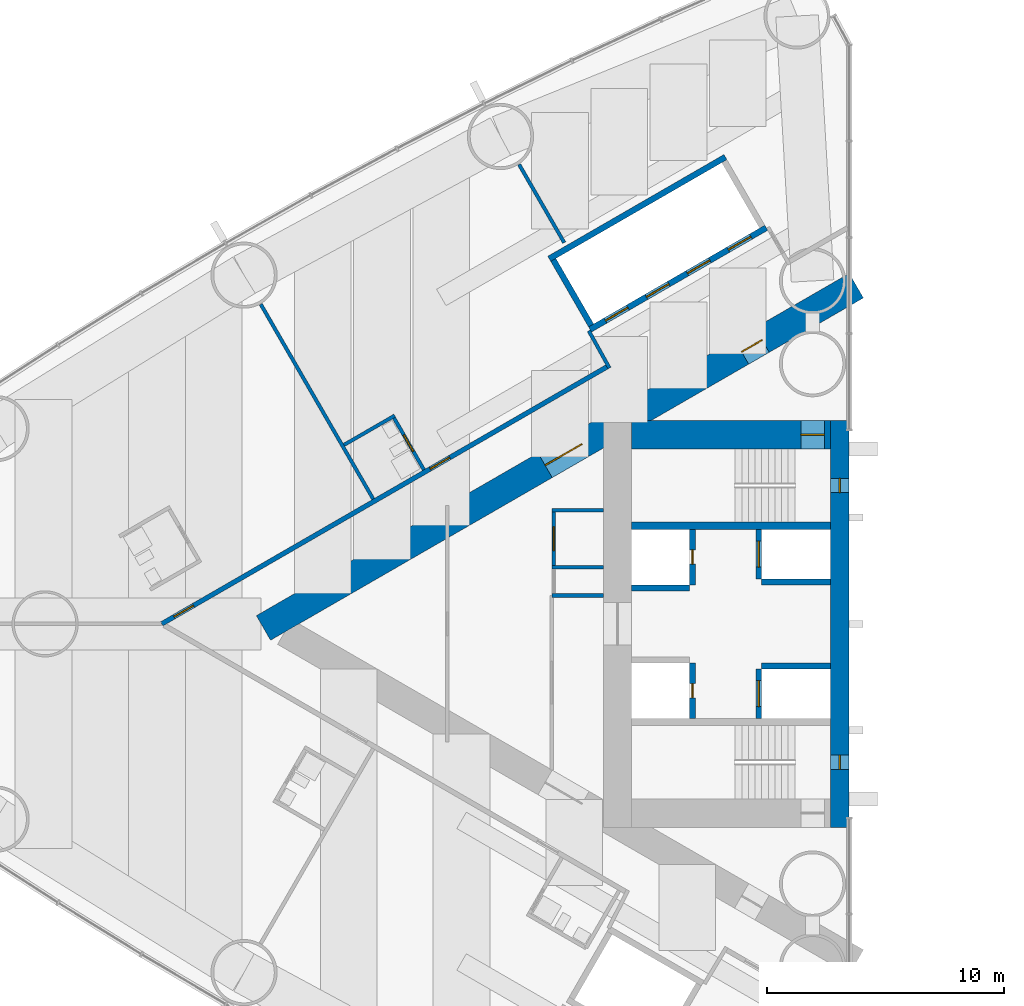
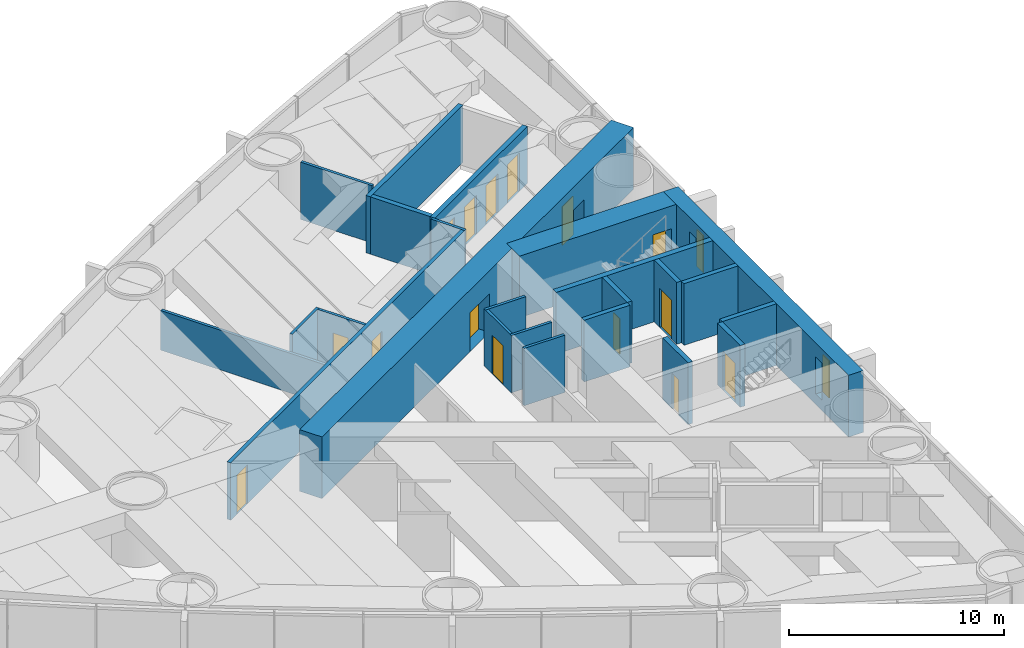
# One storey, part 12 of 19: 24 walls, 15 doors, 2 windows, 17 openings.
"""IFC4 building model written with IfcOpenShell, lengths in metres."""

from ifc_helpers import new_model, si_unit, direction, frame, frame_2d, origin, place, context, subcontext, project, spatial, rectangle, extrude, material, layer, layer_set, type_object, element, fill, save


model = new_model("IFC4")

# Units and contexts
model_context = context("Model", 3, precision=1e-05, world=origin(), true_north=direction((0.0, 1.0)))
body_context = subcontext(model_context, "Body", "Model", "MODEL_VIEW")
ifc_project = project(units=[si_unit("LENGTHUNIT", "METRE"), si_unit("AREAUNIT", "SQUARE_METRE"), si_unit("VOLUMEUNIT", "CUBIC_METRE"), si_unit("PLANEANGLEUNIT", "RADIAN"), si_unit("MASSUNIT", "GRAM", prefix="KILO")], contexts=[model_context])

# Site, building, storey
site_placement = place(None, origin())
site = spatial("IfcSite", under=ifc_project, at=site_placement, CompositionType="ELEMENT")
building_placement = place(site_placement, origin())
building = spatial("IfcBuilding", under=site, at=building_placement, Name="Lancet Gate Hotel", CompositionType="ELEMENT")
storey_placement = place(building_placement, frame((0.0, 0.0, 60.0)))
storey = spatial("IfcBuildingStorey", under=building, at=storey_placement, Name="L15", CompositionType="ELEMENT", Elevation=60.0)

# Wall
ifc_material_1 = material(Name="Moisture resistant board partition")
ifc_layer_1 = layer(ifc_material_1, 0.14990234375)
ifc_layer_set_1 = layer_set([ifc_layer_1], Name="Bathroom wall 150")
wall_type_1 = type_object("IfcWallType", Name="Bathroom wall 150", PredefinedType="PARTITIONING", material=ifc_layer_set_1)
wall_1_placement = place(storey_placement, frame((-46.718505859375, 8.804443359375, 0.0), z_axis=(0.0, 0.0, 1.0), x_axis=(-0.866006523861, -0.500032699561, 0.0)))
element("IfcWall", 1, at=wall_1_placement, inside=storey, type_object=wall_type_1, Name="T1 bathroom wall 150 L15", PredefinedType="PARTITIONING", context=body_context, shape_type="SweptSolid", body=[
    extrude(rectangle(XDim=2.474853515625, YDim=0.14990234375, at=frame_2d((1.2373046875, 0.0))), origin(), (0.0, 0.0, 1.0), 3.25),
])

# Wall, opening, door
wall_2_placement = place(storey_placement, frame((-45.4833984375, 6.515380859375, 0.0), z_axis=(0.0, 0.0, 1.0), x_axis=(-0.500006934395, 0.866021400173, 0.0)))
wall_2 = element("IfcWall", 2, at=wall_2_placement, inside=storey, type_object=wall_type_1, Name="T1 bathroom wall 150 L15", PredefinedType="PARTITIONING", context=body_context, shape_type="SweptSolid", body=[
    extrude(rectangle(XDim=2.60009765625, YDim=0.14990234375, at=frame_2d((1.300048828125, 0.0))), origin(), (0.0, 0.0, 1.0), 3.25),
])
opening_1_placement = place(wall_2_placement, frame((0.89990234375, 0.0, 0.0)))
opening_1 = element("IfcOpeningElement", 3, at=opening_1_placement, cuts=wall_2, Name="Opening 1502-B", PredefinedType="OPENING", context=body_context, shape_type="SweptSolid", body=[
    extrude(rectangle(XDim=0.800048828125, YDim=2.199951171875, at=frame_2d((0.39990234375, 1.10009765625))), frame((0.0, 0.0849609375, 0.0), z_axis=(0.0, -1.0, 0.0), x_axis=(1.0, 0.0, 0.0)), (0.0, 0.0, 1.0), 0.169921875),
])
ifc_material_2 = material(Name="Timber door set", Category="wood")
door_type_1 = type_object("IfcDoorType", Name="Bathroom door 800", OperationType="SINGLE_SWING_RIGHT", PredefinedType="DOOR", material=ifc_material_2)
door_1_placement = place(opening_1_placement, origin())
door_1 = element("IfcDoor", 4, at=door_1_placement, inside=storey, type_object=door_type_1, Name="1502-B", OperationType="SINGLE_SWING_RIGHT", OverallHeight=2.199951171875, OverallWidth=0.800048828125, PredefinedType="DOOR", context=body_context, shape_type="SweptSolid", body=[
    extrude(rectangle(XDim=0.800048828125, YDim=2.199951171875, at=frame_2d((0.39990234375, 1.10009765625))), frame((0.0, 0.02490234375, 0.0), z_axis=(0.0, -1.0, 0.0), x_axis=(1.0, 0.0, 0.0)), (0.0, 0.0, 1.0), 0.050048828125),
])
fill(opening_1, door_1)

# Wall, openings, doors
ifc_material_3 = material(Name="Concrete C70/85", Category="concrete")
ifc_layer_2 = layer(ifc_material_3, 1.199951171875)
ifc_layer_set_2 = layer_set([ifc_layer_2], Name="Buttress wall 1200")
wall_type_2 = type_object("IfcWallType", Name="Buttress wall 1200", PredefinedType="SHEAR", material=ifc_layer_set_2)
wall_3_placement = place(storey_placement, frame((-27.199951171875, 14.300048828125, 0.0), z_axis=(0.0, 0.0, 1.0), x_axis=(-0.866026593062, -0.499997940104, 0.0)))
wall_3 = element("IfcWall", 5, at=wall_3_placement, inside=storey, type_object=wall_type_2, Name="T1 buttress wall S L15", PredefinedType="SHEAR", context=body_context, shape_type="SweptSolid", body=[
    extrude(rectangle(XDim=28.9462890625, YDim=1.199951171875, at=frame_2d((14.47314453125, 0.0))), origin(), (0.0, 0.0, 1.0), 3.5),
])
opening_2_placement = place(wall_3_placement, frame((4.60009765625, 0.0, 0.0)))
opening_2 = element("IfcOpeningElement", 6, at=opening_2_placement, cuts=wall_3, Name="Opening T1-L15-LS", PredefinedType="OPENING", context=body_context, shape_type="SweptSolid", body=[
    extrude(rectangle(XDim=1.0, YDim=2.199951171875, at=frame_2d((0.5, 1.10009765625))), frame((0.0, 0.60986328125, 0.0), z_axis=(0.0, -1.0, 0.0), x_axis=(1.0, 0.0, 0.0)), (0.0, 0.0, 1.0), 1.219970703125),
])
opening_3_placement = place(wall_3_placement, frame((13.39453125, 0.0, 0.0)))
opening_3 = element("IfcOpeningElement", 7, at=opening_3_placement, cuts=wall_3, Name="Opening T1-L15-LHS", PredefinedType="OPENING", context=body_context, shape_type="SweptSolid", body=[
    extrude(rectangle(XDim=1.800048828125, YDim=2.199951171875, at=frame_2d((0.89990234375, 1.10009765625))), frame((0.0, 0.60986328125, 0.0), z_axis=(0.0, -1.0, 0.0), x_axis=(1.0, 0.0, 0.0)), (0.0, 0.0, 1.0), 1.219970703125),
])
ifc_material_4 = material(Name="Timber door set", Category="wood")
door_type_2 = type_object("IfcDoorType", Name="Lobby double door 1800", OperationType="DOUBLE_DOOR_SINGLE_SWING", PredefinedType="DOOR", material=ifc_material_4)
door_2_placement = place(opening_3_placement, origin())
door_2 = element("IfcDoor", 8, at=door_2_placement, inside=storey, type_object=door_type_2, Name="T1-L15-LHS", OperationType="DOUBLE_DOOR_SINGLE_SWING", OverallHeight=2.199951171875, OverallWidth=1.800048828125, PredefinedType="DOOR", context=body_context, shape_type="SweptSolid", body=[
    extrude(rectangle(XDim=1.800048828125, YDim=2.199951171875, at=frame_2d((0.89990234375, 1.10009765625))), frame((0.0, 0.02490234375, 0.0), z_axis=(0.0, -1.0, 0.0), x_axis=(1.0, 0.0, 0.0)), (0.0, 0.0, 1.0), 0.050048828125),
])
fill(opening_3, door_2)
ifc_material_5 = material(Name="Timber door set", Category="wood")
door_type_3 = type_object("IfcDoorType", Name="Stair lobby door 1000", OperationType="SINGLE_SWING_LEFT", PredefinedType="DOOR", material=ifc_material_5)
door_3_placement = place(opening_2_placement, origin())
door_3 = element("IfcDoor", 9, at=door_3_placement, inside=storey, type_object=door_type_3, Name="T1-L15-LS", OperationType="SINGLE_SWING_LEFT", OverallHeight=2.199951171875, OverallWidth=1.0, PredefinedType="DOOR", context=body_context, shape_type="SweptSolid", body=[
    extrude(rectangle(XDim=1.0, YDim=2.199951171875, at=frame_2d((0.5, 1.10009765625))), frame((0.0, 0.02490234375, 0.0), z_axis=(0.0, -1.0, 0.0), x_axis=(1.0, 0.0, 0.0)), (0.0, 0.0, 1.0), 0.050048828125),
])
fill(opening_2, door_3)

# Wall, opening, door
ifc_material_6 = material(Name="Concrete C70/85", Category="concrete")
ifc_layer_3 = layer(ifc_material_6, 1.199951171875)
ifc_layer_set_3 = layer_set([ifc_layer_3], Name="Core wall 1200")
wall_type_3 = type_object("IfcWallType", Name="Core wall 1200", PredefinedType="SHEAR", material=ifc_layer_set_3)
wall_4_placement = place(storey_placement, frame((-28.300048828125, 8.0, 0.0), z_axis=(0.0, 0.0, 1.0), x_axis=(-1.0, 0.0, 0.0)))
wall_4 = element("IfcWall", 10, at=wall_4_placement, inside=storey, type_object=wall_type_3, Name="T1 core wall side-S L15", PredefinedType="SHEAR", context=body_context, shape_type="SweptSolid", body=[
    extrude(rectangle(XDim=8.39990234375, YDim=1.199951171875, at=frame_2d((4.199951171875, 0.0))), origin(), (0.0, 0.0, 1.0), 3.5),
])
opening_4_placement = place(wall_4_placement, frame((0.25, 0.0, 0.0)))
opening_4 = element("IfcOpeningElement", 11, at=opening_4_placement, cuts=wall_4, Name="Opening T1-L15-ST1", PredefinedType="OPENING", context=body_context, shape_type="SweptSolid", body=[
    extrude(rectangle(XDim=1.0, YDim=2.199951171875, at=frame_2d((0.5, 1.10009765625))), frame((0.0, 0.60986328125, 0.0), z_axis=(0.0, -1.0, 0.0), x_axis=(1.0, 0.0, 0.0)), (0.0, 0.0, 1.0), 1.219970703125),
])
ifc_material_7 = material(Name="Timber door set", Category="wood")
door_type_4 = type_object("IfcDoorType", Name="Stair door 1000", OperationType="SINGLE_SWING_RIGHT", PredefinedType="DOOR", material=ifc_material_7)
door_4_placement = place(opening_4_placement, origin())
door_4 = element("IfcDoor", 12, at=door_4_placement, inside=storey, type_object=door_type_4, Name="T1-L15-ST1", OperationType="SINGLE_SWING_RIGHT", OverallHeight=2.199951171875, OverallWidth=1.0, PredefinedType="DOOR", context=body_context, shape_type="SweptSolid", body=[
    extrude(rectangle(XDim=1.0, YDim=2.199951171875, at=frame_2d((0.5, 1.10009765625))), frame((0.0, 0.02490234375, 0.0), z_axis=(0.0, -1.0, 0.0), x_axis=(1.0, 0.0, 0.0)), (0.0, 0.0, 1.0), 0.050048828125),
])
fill(opening_4, door_4)

# Wall, openings, windows
ifc_material_8 = material(Name="Concrete C70/85", Category="concrete")
ifc_layer_4 = layer(ifc_material_8, 0.800048828125)
ifc_layer_set_4 = layer_set([ifc_layer_4], Name="Core wall 800")
wall_type_4 = type_object("IfcWallType", Name="Core wall 800", PredefinedType="SHEAR", material=ifc_layer_set_4)
wall_5_placement = place(storey_placement, frame((-27.89990234375, 8.60009765625, 0.0), z_axis=(0.0, 0.0, 1.0), x_axis=(0.0, -1.0, 0.0)))
wall_5 = element("IfcWall", 13, at=wall_5_placement, inside=storey, type_object=wall_type_4, Name="T1 core wall front L15", PredefinedType="SHEAR", context=body_context, shape_type="SweptSolid", body=[
    extrude(rectangle(XDim=17.2001953125, YDim=0.800048828125, at=frame_2d((8.60009765625, 0.0))), origin(), (0.0, 0.0, 1.0), 3.5),
])
opening_5_placement = place(wall_5_placement, frame((2.449951171875, 0.0, 0.60009765625)))
opening_5 = element("IfcOpeningElement", 14, at=opening_5_placement, cuts=wall_5, Name="Opening LW1", PredefinedType="OPENING", context=body_context, shape_type="SweptSolid", body=[
    extrude(rectangle(XDim=0.60009765625, YDim=2.10009765625, at=frame_2d((0.300048828125, 1.050048828125))), frame((0.0, 0.409912109375, 0.0), z_axis=(0.0, -1.0, 0.0), x_axis=(1.0, 0.0, 0.0)), (0.0, 0.0, 1.0), 0.820068359375),
])
opening_6_placement = place(wall_5_placement, frame((14.14990234375, 0.0, 0.60009765625)))
opening_6 = element("IfcOpeningElement", 15, at=opening_6_placement, cuts=wall_5, Name="Opening LW1", PredefinedType="OPENING", context=body_context, shape_type="SweptSolid", body=[
    extrude(rectangle(XDim=0.60009765625, YDim=2.10009765625, at=frame_2d((0.300048828125, 1.050048828125))), frame((0.0, 0.409912109375, 0.0), z_axis=(0.0, -1.0, 0.0), x_axis=(1.0, 0.0, 0.0)), (0.0, 0.0, 1.0), 0.820068359375),
])
ifc_material_9 = material(Name="Fire-resisting glazed steel window", Category="steel")
window_type = type_object("IfcWindowType", Name="Lancet window 600x2100", PartitioningType="SINGLE_PANEL", PredefinedType="WINDOW", material=ifc_material_9)
window_1_placement = place(opening_5_placement, origin())
window_1 = element("IfcWindow", 16, at=window_1_placement, inside=storey, type_object=window_type, Name="T1 stair window S L15", OverallHeight=2.10009765625, OverallWidth=0.60009765625, PartitioningType="SINGLE_PANEL", PredefinedType="WINDOW", context=body_context, shape_type="SweptSolid", body=[
    extrude(rectangle(XDim=0.60009765625, YDim=2.10009765625, at=frame_2d((0.300048828125, 1.050048828125))), frame((0.0, 0.030029296875, 0.0), z_axis=(0.0, -1.0, 0.0), x_axis=(1.0, 0.0, 0.0)), (0.0, 0.0, 1.0), 0.06005859375),
])
fill(opening_5, window_1)
window_2_placement = place(opening_6_placement, origin())
window_2 = element("IfcWindow", 17, at=window_2_placement, inside=storey, type_object=window_type, Name="T1 stair window N L15", OverallHeight=2.10009765625, OverallWidth=0.60009765625, PartitioningType="SINGLE_PANEL", PredefinedType="WINDOW", context=body_context, shape_type="SweptSolid", body=[
    extrude(rectangle(XDim=0.60009765625, YDim=2.10009765625, at=frame_2d((0.300048828125, 1.050048828125))), frame((0.0, 0.030029296875, 0.0), z_axis=(0.0, -1.0, 0.0), x_axis=(1.0, 0.0, 0.0)), (0.0, 0.0, 1.0), 0.06005859375),
])
fill(opening_6, window_2)

# Wall, openings, doors
ifc_material_10 = material(Name="Gypsum board partition")
ifc_layer_5 = layer(ifc_material_10, 0.199951171875)
ifc_layer_set_5 = layer_set([ifc_layer_5], Name="Corridor wall 200")
wall_type_5 = type_object("IfcWallType", Name="Corridor wall 200", PredefinedType="PARTITIONING", material=ifc_layer_set_5)
wall_6_placement = place(storey_placement, frame((-37.699951171875, 10.8935546875, 0.0), z_axis=(0.0, 0.0, 1.0), x_axis=(-0.866027905338, -0.499995667157, 0.0)))
wall_6 = element("IfcWall", 18, at=wall_6_placement, inside=storey, type_object=wall_type_5, Name="T1 corridor wall 200 L15", PredefinedType="PARTITIONING", context=body_context, shape_type="SweptSolid", body=[
    extrude(rectangle(XDim=21.787353515625, YDim=0.199951171875, at=frame_2d((10.8935546875, 0.0))), origin(), (0.0, 0.0, 1.0), 3.25),
])
opening_7_placement = place(wall_6_placement, frame((20.237060546875, 0.0, 0.0)))
opening_7 = element("IfcOpeningElement", 19, at=opening_7_placement, cuts=wall_6, Name="Opening 1503-E", PredefinedType="OPENING", context=body_context, shape_type="SweptSolid", body=[
    extrude(rectangle(XDim=0.949951171875, YDim=2.199951171875, at=frame_2d((0.47509765625, 1.10009765625))), frame((0.0, 0.10986328125, 0.0), z_axis=(0.0, -1.0, 0.0), x_axis=(1.0, 0.0, 0.0)), (0.0, 0.0, 1.0), 0.219970703125),
])
opening_8_placement = place(wall_6_placement, frame((7.729736328125, 0.0, 0.0)))
opening_8 = element("IfcOpeningElement", 20, at=opening_8_placement, cuts=wall_6, Name="Opening 1502-E", PredefinedType="OPENING", context=body_context, shape_type="SweptSolid", body=[
    extrude(rectangle(XDim=0.949951171875, YDim=2.199951171875, at=frame_2d((0.47509765625, 1.10009765625))), frame((0.0, 0.10986328125, 0.0), z_axis=(0.0, -1.0, 0.0), x_axis=(1.0, 0.0, 0.0)), (0.0, 0.0, 1.0), 0.219970703125),
])
ifc_material_11 = material(Name="Timber door set", Category="wood")
door_type_5 = type_object("IfcDoorType", Name="Guest room entry door 950", OperationType="SINGLE_SWING_LEFT", PredefinedType="DOOR", material=ifc_material_11)
door_5_placement = place(opening_7_placement, origin())
door_5 = element("IfcDoor", 21, at=door_5_placement, inside=storey, type_object=door_type_5, Name="1503-E", OperationType="SINGLE_SWING_LEFT", OverallHeight=2.199951171875, OverallWidth=0.949951171875, PredefinedType="DOOR", context=body_context, shape_type="SweptSolid", body=[
    extrude(rectangle(XDim=0.949951171875, YDim=2.199951171875, at=frame_2d((0.47509765625, 1.10009765625))), frame((0.0, 0.02490234375, 0.0), z_axis=(0.0, -1.0, 0.0), x_axis=(1.0, 0.0, 0.0)), (0.0, 0.0, 1.0), 0.050048828125),
])
fill(opening_7, door_5)
door_6_placement = place(opening_8_placement, origin())
door_6 = element("IfcDoor", 22, at=door_6_placement, inside=storey, type_object=door_type_5, Name="1502-E", OperationType="SINGLE_SWING_LEFT", OverallHeight=2.199951171875, OverallWidth=0.949951171875, PredefinedType="DOOR", context=body_context, shape_type="SweptSolid", body=[
    extrude(rectangle(XDim=0.949951171875, YDim=2.199951171875, at=frame_2d((0.47509765625, 1.10009765625))), frame((0.0, 0.02490234375, 0.0), z_axis=(0.0, -1.0, 0.0), x_axis=(1.0, 0.0, 0.0)), (0.0, 0.0, 1.0), 0.050048828125),
])
fill(opening_8, door_6)

ifc_material_12 = material(Name="Gypsum board partition")
ifc_layer_6 = layer(ifc_material_12, 0.25)
ifc_layer_set_6 = layer_set([ifc_layer_6], Name="Lift shaft partition 250")
wall_type_6 = type_object("IfcWallType", Name="Lift shaft partition 250", PredefinedType="PARTITIONING", material=ifc_layer_set_6)
wall_7_placement = place(storey_placement, frame((-31.010498046875, 16.747314453125, 0.0), z_axis=(0.0, 0.0, 1.0), x_axis=(-0.866028165386, -0.499995216735, 0.0)))
wall_7 = element("IfcWall", 23, at=wall_7_placement, inside=storey, type_object=wall_type_6, Name="T1 lift shaft wall LR L15", PredefinedType="PARTITIONING", context=body_context, shape_type="SweptSolid", body=[
    extrude(rectangle(XDim=8.60009765625, YDim=0.25, at=frame_2d((4.300048828125, 0.0))), origin(), (0.0, 0.0, 1.0), 3.25),
])
opening_9_placement = place(wall_7_placement, frame((0.75, 0.0, 0.0)))
opening_9 = element("IfcOpeningElement", 24, at=opening_9_placement, cuts=wall_7, Name="Opening T1-LR1-L15", PredefinedType="OPENING", context=body_context, shape_type="SweptSolid", body=[
    extrude(rectangle(XDim=1.10009765625, YDim=2.199951171875, at=frame_2d((0.550048828125, 1.10009765625))), frame((0.0, 0.135009765625, 0.0), z_axis=(0.0, -1.0, 0.0), x_axis=(1.0, 0.0, 0.0)), (0.0, 0.0, 1.0), 0.27001953125),
])
opening_10_placement = place(wall_7_placement, frame((2.75, 0.0, 0.0)))
opening_10 = element("IfcOpeningElement", 25, at=opening_10_placement, cuts=wall_7, Name="Opening T1-LR2-L15", PredefinedType="OPENING", context=body_context, shape_type="SweptSolid", body=[
    extrude(rectangle(XDim=1.10009765625, YDim=2.199951171875, at=frame_2d((0.550048828125, 1.10009765625))), frame((0.0, 0.135009765625, 0.0), z_axis=(0.0, -1.0, 0.0), x_axis=(1.0, 0.0, 0.0)), (0.0, 0.0, 1.0), 0.27001953125),
])
opening_11_placement = place(wall_7_placement, frame((4.75, 0.0, 0.0)))
opening_11 = element("IfcOpeningElement", 26, at=opening_11_placement, cuts=wall_7, Name="Opening T1-LR3-L15", PredefinedType="OPENING", context=body_context, shape_type="SweptSolid", body=[
    extrude(rectangle(XDim=1.10009765625, YDim=2.199951171875, at=frame_2d((0.550048828125, 1.10009765625))), frame((0.0, 0.135009765625, 0.0), z_axis=(0.0, -1.0, 0.0), x_axis=(1.0, 0.0, 0.0)), (0.0, 0.0, 1.0), 0.27001953125),
])
opening_12_placement = place(wall_7_placement, frame((6.75, 0.0, 0.0)))
opening_12 = element("IfcOpeningElement", 27, at=opening_12_placement, cuts=wall_7, Name="Opening T1-LR4-L15", PredefinedType="OPENING", context=body_context, shape_type="SweptSolid", body=[
    extrude(rectangle(XDim=1.10009765625, YDim=2.199951171875, at=frame_2d((0.550048828125, 1.10009765625))), frame((0.0, 0.135009765625, 0.0), z_axis=(0.0, -1.0, 0.0), x_axis=(1.0, 0.0, 0.0)), (0.0, 0.0, 1.0), 0.27001953125),
])
ifc_material_13 = material(Name="Steel door set", Category="steel")
door_type_6 = type_object("IfcDoorType", Name="Lift landing door 1100", OperationType="DOUBLE_DOOR_SLIDING", PredefinedType="USERDEFINED", material=ifc_material_13)
door_7_placement = place(opening_9_placement, origin())
door_7 = element("IfcDoor", 28, at=door_7_placement, inside=storey, type_object=door_type_6, Name="T1-LR1-L15", ObjectType="LIFT LANDING DOOR", OperationType="DOUBLE_DOOR_SLIDING", OverallHeight=2.199951171875, OverallWidth=1.10009765625, PredefinedType="USERDEFINED", context=body_context, shape_type="SweptSolid", body=[
    extrude(rectangle(XDim=1.10009765625, YDim=2.199951171875, at=frame_2d((0.550048828125, 1.10009765625))), frame((0.0, 0.02490234375, 0.0), z_axis=(0.0, -1.0, 0.0), x_axis=(1.0, 0.0, 0.0)), (0.0, 0.0, 1.0), 0.050048828125),
])
fill(opening_9, door_7)
door_8_placement = place(opening_10_placement, origin())
door_8 = element("IfcDoor", 29, at=door_8_placement, inside=storey, type_object=door_type_6, Name="T1-LR2-L15", ObjectType="LIFT LANDING DOOR", OperationType="DOUBLE_DOOR_SLIDING", OverallHeight=2.199951171875, OverallWidth=1.10009765625, PredefinedType="USERDEFINED", context=body_context, shape_type="SweptSolid", body=[
    extrude(rectangle(XDim=1.10009765625, YDim=2.199951171875, at=frame_2d((0.550048828125, 1.10009765625))), frame((0.0, 0.02490234375, 0.0), z_axis=(0.0, -1.0, 0.0), x_axis=(1.0, 0.0, 0.0)), (0.0, 0.0, 1.0), 0.050048828125),
])
fill(opening_10, door_8)
door_9_placement = place(opening_11_placement, origin())
door_9 = element("IfcDoor", 30, at=door_9_placement, inside=storey, type_object=door_type_6, Name="T1-LR3-L15", ObjectType="LIFT LANDING DOOR", OperationType="DOUBLE_DOOR_SLIDING", OverallHeight=2.199951171875, OverallWidth=1.10009765625, PredefinedType="USERDEFINED", context=body_context, shape_type="SweptSolid", body=[
    extrude(rectangle(XDim=1.10009765625, YDim=2.199951171875, at=frame_2d((0.550048828125, 1.10009765625))), frame((0.0, 0.02490234375, 0.0), z_axis=(0.0, -1.0, 0.0), x_axis=(1.0, 0.0, 0.0)), (0.0, 0.0, 1.0), 0.050048828125),
])
fill(opening_11, door_9)
door_10_placement = place(opening_12_placement, origin())
door_10 = element("IfcDoor", 31, at=door_10_placement, inside=storey, type_object=door_type_6, Name="T1-LR4-L15", ObjectType="LIFT LANDING DOOR", OperationType="DOUBLE_DOOR_SLIDING", OverallHeight=2.199951171875, OverallWidth=1.10009765625, PredefinedType="USERDEFINED", context=body_context, shape_type="SweptSolid", body=[
    extrude(rectangle(XDim=1.10009765625, YDim=2.199951171875, at=frame_2d((0.550048828125, 1.10009765625))), frame((0.0, 0.02490234375, 0.0), z_axis=(0.0, -1.0, 0.0), x_axis=(1.0, 0.0, 0.0)), (0.0, 0.0, 1.0), 0.050048828125),
])
fill(opening_12, door_10)

# Walls
wall_8_placement = place(storey_placement, frame((-32.735595703125, 19.73583984375, 0.0), z_axis=(0.0, 0.0, 1.0), x_axis=(-0.866028165386, -0.499995216735, 0.0)))
element("IfcWall", 32, at=wall_8_placement, inside=storey, type_object=wall_type_6, Name="T1 lift shaft wall LR L15", PredefinedType="PARTITIONING", context=body_context, shape_type="SweptSolid", body=[
    extrude(rectangle(XDim=8.60009765625, YDim=0.25, at=frame_2d((4.300048828125, 0.0))), origin(), (0.0, 0.0, 1.0), 3.25),
])
wall_9_placement = place(storey_placement, frame((-38.412841796875, 12.617919921875, 0.0), z_axis=(0.0, 0.0, 1.0), x_axis=(-0.499872130319, 0.866099216793, 0.0)))
element("IfcWall", 33, at=wall_9_placement, inside=storey, type_object=wall_type_6, Name="T1 lift shaft wall LR L15", PredefinedType="PARTITIONING", context=body_context, shape_type="SweptSolid", body=[
    extrude(rectangle(XDim=3.200439453125, YDim=0.25, at=frame_2d((1.60009765625, 0.0))), origin(), (0.0, 0.0, 1.0), 3.25),
])

# Wall, opening, door
ifc_material_14 = material(Name="Concrete C50/60", Category="concrete")
ifc_layer_7 = layer(ifc_material_14, 0.25)
ifc_layer_set_7 = layer_set([ifc_layer_7], Name="Lift shaft wall 250")
wall_type_7 = type_object("IfcWallType", Name="Lift shaft wall 250", PredefinedType="SHEAR", material=ifc_layer_set_7)
wall_10_placement = place(storey_placement, frame((-31.324951171875, 4.0, 0.0), z_axis=(0.0, 0.0, 1.0), x_axis=(0.0, -1.0, 0.0)))
wall_10 = element("IfcWall", 34, at=wall_10_placement, inside=storey, type_object=wall_type_7, Name="T1 core wall row1-S L15", PredefinedType="SHEAR", context=body_context, shape_type="SweptSolid", body=[
    extrude(rectangle(XDim=2.10009765625, YDim=0.25, at=frame_2d((1.050048828125, 0.0))), origin(), (0.0, 0.0, 1.0), 3.5),
])
opening_13_placement = place(wall_10_placement, frame((0.5, 0.0, 0.0)))
opening_13 = element("IfcOpeningElement", 35, at=opening_13_placement, cuts=wall_10, Name="Opening T1-SL1-L15", PredefinedType="OPENING", context=body_context, shape_type="SweptSolid", body=[
    extrude(rectangle(XDim=1.10009765625, YDim=2.199951171875, at=frame_2d((0.550048828125, 1.10009765625))), frame((0.0, 0.135009765625, 0.0), z_axis=(0.0, -1.0, 0.0), x_axis=(1.0, 0.0, 0.0)), (0.0, 0.0, 1.0), 0.27001953125),
])
ifc_material_15 = material(Name="Timber door set", Category="wood")
door_type_7 = type_object("IfcDoorType", Name="Service lift landing door 1100", OperationType="SLIDING_TO_LEFT", PredefinedType="USERDEFINED", material=ifc_material_15)
door_11_placement = place(opening_13_placement, origin())
door_11 = element("IfcDoor", 36, at=door_11_placement, inside=storey, type_object=door_type_7, Name="T1-SL1-L15", ObjectType="LIFT LANDING DOOR", OperationType="SLIDING_TO_LEFT", OverallHeight=2.199951171875, OverallWidth=1.10009765625, PredefinedType="USERDEFINED", context=body_context, shape_type="SweptSolid", body=[
    extrude(rectangle(XDim=1.10009765625, YDim=2.199951171875, at=frame_2d((0.550048828125, 1.10009765625))), frame((0.0, 0.02490234375, 0.0), z_axis=(0.0, -1.0, 0.0), x_axis=(1.0, 0.0, 0.0)), (0.0, 0.0, 1.0), 0.050048828125),
])
fill(opening_13, door_11)

wall_11_placement = place(storey_placement, frame((-34.125, 4.0, 0.0), z_axis=(0.0, 0.0, 1.0), x_axis=(0.0, -1.0, 0.0)))
wall_11 = element("IfcWall", 37, at=wall_11_placement, inside=storey, type_object=wall_type_7, Name="T1 core wall row2-S L15", PredefinedType="SHEAR", context=body_context, shape_type="SweptSolid", body=[
    extrude(rectangle(XDim=2.35009765625, YDim=0.25, at=frame_2d((1.175048828125, 0.0))), origin(), (0.0, 0.0, 1.0), 3.5),
])
opening_14_placement = place(wall_11_placement, frame((0.875, 0.0, 0.0)))
opening_14 = element("IfcOpeningElement", 38, at=opening_14_placement, cuts=wall_11, Name="Opening T1-OL3-L15-E", PredefinedType="OPENING", context=body_context, shape_type="SweptSolid", body=[
    extrude(rectangle(XDim=0.60009765625, YDim=2.0, at=frame_2d((0.300048828125, 1.0))), frame((0.0, 0.135009765625, 0.0), z_axis=(0.0, -1.0, 0.0), x_axis=(1.0, 0.0, 0.0)), (0.0, 0.0, 1.0), 0.27001953125),
])
ifc_material_16 = material(Name="Steel door set", Category="steel")
door_type_8 = type_object("IfcDoorType", Name="Lift shaft emergency door 600x2000", OperationType="SLIDING_TO_LEFT", PredefinedType="DOOR", material=ifc_material_16)
door_12_placement = place(opening_14_placement, origin())
door_12 = element("IfcDoor", 39, at=door_12_placement, inside=storey, type_object=door_type_8, Name="T1-OL3-L15-E", OperationType="SLIDING_TO_LEFT", OverallHeight=2.0, OverallWidth=0.60009765625, PredefinedType="DOOR", context=body_context, shape_type="SweptSolid", body=[
    extrude(rectangle(XDim=0.60009765625, YDim=2.0, at=frame_2d((0.300048828125, 1.0))), frame((0.0, 0.02490234375, 0.0), z_axis=(0.0, -1.0, 0.0), x_axis=(1.0, 0.0, 0.0)), (0.0, 0.0, 1.0), 0.050048828125),
])
fill(opening_14, door_12)

# Walls
wall_12_placement = place(storey_placement, frame((-28.300048828125, 1.77490234375, 0.0), z_axis=(0.0, 0.0, 1.0), x_axis=(-1.0, 0.0, 0.0)))
element("IfcWall", 40, at=wall_12_placement, inside=storey, type_object=wall_type_7, Name="T1 core wall pass1-S L15", PredefinedType="SHEAR", context=body_context, shape_type="SweptSolid", body=[
    extrude(rectangle(XDim=2.89990234375, YDim=0.25, at=frame_2d((1.449951171875, 0.0))), origin(), (0.0, 0.0, 1.0), 3.5),
])
wall_13_placement = place(storey_placement, frame((-34.25, 1.52490234375, 0.0), z_axis=(0.0, 0.0, 1.0), x_axis=(-1.0, 0.0, 0.0)))
element("IfcWall", 41, at=wall_13_placement, inside=storey, type_object=wall_type_7, Name="T1 core wall pass2-S L15", PredefinedType="SHEAR", context=body_context, shape_type="SweptSolid", body=[
    extrude(rectangle(XDim=2.449951171875, YDim=0.25, at=frame_2d((1.22509765625, 0.0))), origin(), (0.0, 0.0, 1.0), 3.5),
])

# Wall, opening, door
wall_14_placement = place(storey_placement, frame((-31.324951171875, -1.89990234375, 0.0), z_axis=(0.0, 0.0, 1.0), x_axis=(0.0, -1.0, 0.0)))
wall_14 = element("IfcWall", 42, at=wall_14_placement, inside=storey, type_object=wall_type_7, Name="T1 core wall row1-N L15", PredefinedType="SHEAR", context=body_context, shape_type="SweptSolid", body=[
    extrude(rectangle(XDim=2.10009765625, YDim=0.25, at=frame_2d((1.050048828125, 0.0))), origin(), (0.0, 0.0, 1.0), 3.5),
])
opening_15_placement = place(wall_14_placement, frame((0.5, 0.0, 0.0)))
opening_15 = element("IfcOpeningElement", 43, at=opening_15_placement, cuts=wall_14, Name="Opening T1-FL2-L15", PredefinedType="OPENING", context=body_context, shape_type="SweptSolid", body=[
    extrude(rectangle(XDim=1.10009765625, YDim=2.199951171875, at=frame_2d((0.550048828125, 1.10009765625))), frame((0.0, 0.135009765625, 0.0), z_axis=(0.0, -1.0, 0.0), x_axis=(1.0, 0.0, 0.0)), (0.0, 0.0, 1.0), 0.27001953125),
])
ifc_material_17 = material(Name="Steel door set", Category="steel")
door_type_9 = type_object("IfcDoorType", Name="Firefighting lift landing door 1100", OperationType="SLIDING_TO_LEFT", PredefinedType="USERDEFINED", material=ifc_material_17)
door_13_placement = place(opening_15_placement, origin())
door_13 = element("IfcDoor", 44, at=door_13_placement, inside=storey, type_object=door_type_9, Name="T1-FL2-L15", ObjectType="LIFT LANDING DOOR", OperationType="SLIDING_TO_LEFT", OverallHeight=2.199951171875, OverallWidth=1.10009765625, PredefinedType="USERDEFINED", context=body_context, shape_type="SweptSolid", body=[
    extrude(rectangle(XDim=1.10009765625, YDim=2.199951171875, at=frame_2d((0.550048828125, 1.10009765625))), frame((0.0, 0.02490234375, 0.0), z_axis=(0.0, -1.0, 0.0), x_axis=(1.0, 0.0, 0.0)), (0.0, 0.0, 1.0), 0.050048828125),
])
fill(opening_15, door_13)

wall_15_placement = place(storey_placement, frame((-34.125, -1.64990234375, 0.0), z_axis=(0.0, 0.0, 1.0), x_axis=(0.0, -1.0, 0.0)))
wall_15 = element("IfcWall", 45, at=wall_15_placement, inside=storey, type_object=wall_type_7, Name="T1 core wall row2-N L15", PredefinedType="SHEAR", context=body_context, shape_type="SweptSolid", body=[
    extrude(rectangle(XDim=2.35009765625, YDim=0.25, at=frame_2d((1.175048828125, 0.0))), origin(), (0.0, 0.0, 1.0), 3.5),
])
opening_16_placement = place(wall_15_placement, frame((0.875, 0.0, 0.0)))
opening_16 = element("IfcOpeningElement", 46, at=opening_16_placement, cuts=wall_15, Name="Opening T1-OL4-L15-E", PredefinedType="OPENING", context=body_context, shape_type="SweptSolid", body=[
    extrude(rectangle(XDim=0.60009765625, YDim=2.0, at=frame_2d((0.300048828125, 1.0))), frame((0.0, 0.135009765625, 0.0), z_axis=(0.0, -1.0, 0.0), x_axis=(1.0, 0.0, 0.0)), (0.0, 0.0, 1.0), 0.27001953125),
])
door_14_placement = place(opening_16_placement, origin())
door_14 = element("IfcDoor", 47, at=door_14_placement, inside=storey, type_object=door_type_8, Name="T1-OL4-L15-E", OperationType="SLIDING_TO_LEFT", OverallHeight=2.0, OverallWidth=0.60009765625, PredefinedType="DOOR", context=body_context, shape_type="SweptSolid", body=[
    extrude(rectangle(XDim=0.60009765625, YDim=2.0, at=frame_2d((0.300048828125, 1.0))), frame((0.0, 0.02490234375, 0.0), z_axis=(0.0, -1.0, 0.0), x_axis=(1.0, 0.0, 0.0)), (0.0, 0.0, 1.0), 0.050048828125),
])
fill(opening_16, door_14)

# Walls
wall_16_placement = place(storey_placement, frame((-28.300048828125, -1.77490234375, 0.0), z_axis=(0.0, 0.0, 1.0), x_axis=(-1.0, 0.0, 0.0)))
element("IfcWall", 48, at=wall_16_placement, inside=storey, type_object=wall_type_7, Name="T1 core wall pass1-N L15", PredefinedType="SHEAR", context=body_context, shape_type="SweptSolid", body=[
    extrude(rectangle(XDim=2.89990234375, YDim=0.25, at=frame_2d((1.449951171875, 0.0))), origin(), (0.0, 0.0, 1.0), 3.5),
])
ifc_material_18 = material(Name="Gypsum board partition")
ifc_layer_8 = layer(ifc_material_18, 0.14990234375)
ifc_layer_set_8 = layer_set([ifc_layer_8], Name="Party wall 150")
wall_type_8 = type_object("IfcWallType", Name="Party wall 150", PredefinedType="PARTITIONING", material=ifc_layer_set_8)
wall_17_placement = place(storey_placement, frame((-47.626708984375, 5.27783203125, 0.0), z_axis=(0.0, 0.0, 1.0), x_axis=(-0.500009844318, 0.86601972009, 0.0)))
element("IfcWall", 49, at=wall_17_placement, inside=storey, type_object=wall_type_8, Name="T1 party wall 150 L15", PredefinedType="PARTITIONING", context=body_context, shape_type="SweptSolid", body=[
    extrude(rectangle(XDim=9.510498046875, YDim=0.14990234375, at=frame_2d((4.75537109375, 0.0))), origin(), (0.0, 0.0, 1.0), 2.25),
])
wall_18_placement = place(storey_placement, frame((-39.55078125, 16.11865234375, 0.0), z_axis=(0.0, 0.0, 1.0), x_axis=(-0.500014214979, 0.866017196607, 0.0)))
element("IfcWall", 50, at=wall_18_placement, inside=storey, type_object=wall_type_8, Name="T1 party wall 150 L15", PredefinedType="PARTITIONING", context=body_context, shape_type="SweptSolid", body=[
    extrude(rectangle(XDim=3.81494140625, YDim=0.14990234375, at=frame_2d((1.907470703125, 0.0))), origin(), (0.0, 0.0, 1.0), 3.25),
])
ifc_material_19 = material(Name="Gypsum board partition")
ifc_layer_9 = layer(ifc_material_19, 0.14990234375)
ifc_layer_set_9 = layer_set([ifc_layer_9], Name="Service room wall 150")
wall_type_9 = type_object("IfcWallType", Name="Service room wall 150", PredefinedType="PARTITIONING", material=ifc_layer_set_9)
wall_19_placement = place(storey_placement, frame((-38.513427734375, 12.392333984375, 0.0), z_axis=(0.0, 0.0, 1.0), x_axis=(0.485585508183, -0.874189175317, 0.0)))
element("IfcWall", 51, at=wall_19_placement, inside=storey, type_object=wall_type_9, Name="T1 service room wall 150 L15", PredefinedType="PARTITIONING", context=body_context, shape_type="SweptSolid", body=[
    extrude(rectangle(XDim=1.804931640625, YDim=0.14990234375, at=frame_2d((0.90234375, 0.0))), origin(), (0.0, 0.0, 1.0), 3.25),
])
for number, where, z_axis, x_axis, name in (
    (52, (-37.89990234375, 1.199951171875, 0.0), (0.0, 0.0, 1.0), (-1.0, 0.0, 0.0), "T1 service room wall 150 L15"),
    (53, (-37.89990234375, 2.39990234375, 0.0), (0.0, 0.0, 1.0), (-1.0, 0.0, 0.0), "T1 service room wall 150 L15"),
    (54, (-37.89990234375, 4.800048828125, 0.0), (0.0, 0.0, 1.0), (-1.0, 0.0, 0.0), "T1 service room wall 150 L15"),
):
    element("IfcWall", number, at=place(storey_placement, frame(where, z_axis=z_axis, x_axis=x_axis)), inside=storey, type_object=wall_type_9, Name=name, PredefinedType="PARTITIONING", context=body_context, shape_type="SweptSolid", body=[
        extrude(rectangle(XDim=2.175048828125, YDim=0.14990234375, at=frame_2d((1.08740234375, 0.0))), origin(), (0.0, 0.0, 1.0), 3.25),
    ])

# Wall, opening, door
wall_20_placement = place(storey_placement, frame((-40.0, 4.875, 0.0), z_axis=(0.0, 0.0, 1.0), x_axis=(0.0, -1.0, 0.0)))
wall_20 = element("IfcWall", 55, at=wall_20_placement, inside=storey, type_object=wall_type_9, Name="T1 service room wall 150 L15", PredefinedType="PARTITIONING", context=body_context, shape_type="SweptSolid", body=[
    extrude(rectangle(XDim=2.550048828125, YDim=0.14990234375, at=frame_2d((1.27490234375, 0.0))), origin(), (0.0, 0.0, 1.0), 3.25),
])
opening_17_placement = place(wall_20_placement, frame((0.77490234375, 0.0, 0.0)))
opening_17 = element("IfcOpeningElement", 56, at=opening_17_placement, cuts=wall_20, Name="Opening T1-L15-HRS1", PredefinedType="OPENING", context=body_context, shape_type="SweptSolid", body=[
    extrude(rectangle(XDim=1.0, YDim=2.199951171875, at=frame_2d((0.5, 1.10009765625))), frame((0.0, 0.0849609375, 0.0), z_axis=(0.0, -1.0, 0.0), x_axis=(1.0, 0.0, 0.0)), (0.0, 0.0, 1.0), 0.169921875),
])
ifc_material_20 = material(Name="Timber door set", Category="wood")
door_type_10 = type_object("IfcDoorType", Name="Service door 1000", OperationType="SINGLE_SWING_LEFT", PredefinedType="DOOR", material=ifc_material_20)
door_15_placement = place(opening_17_placement, origin())
door_15 = element("IfcDoor", 57, at=door_15_placement, inside=storey, type_object=door_type_10, Name="T1-L15-HRS1", OperationType="SINGLE_SWING_LEFT", OverallHeight=2.199951171875, OverallWidth=1.0, PredefinedType="DOOR", context=body_context, shape_type="SweptSolid", body=[
    extrude(rectangle(XDim=1.0, YDim=2.199951171875, at=frame_2d((0.5, 1.10009765625))), frame((0.0, 0.02490234375, 0.0), z_axis=(0.0, -1.0, 0.0), x_axis=(1.0, 0.0, 0.0)), (0.0, 0.0, 1.0), 0.050048828125),
])
fill(opening_17, door_15)

# Wall
ifc_material_21 = material(Name="Concrete C50/60", Category="concrete")
ifc_layer_10 = layer(ifc_material_21, 0.300048828125)
ifc_layer_set_10 = layer_set([ifc_layer_10], Name="Stair enclosure wall 300")
wall_type_10 = type_object("IfcWallType", Name="Stair enclosure wall 300", PredefinedType="SHEAR", material=ifc_layer_set_10)
wall_21_placement = place(storey_placement, frame((-28.300048828125, 4.14990234375, 0.0), z_axis=(0.0, 0.0, 1.0), x_axis=(-1.0, 0.0, 0.0)))
element("IfcWall", 58, at=wall_21_placement, inside=storey, type_object=wall_type_10, Name="T1 core wall stair-S L15", PredefinedType="SHEAR", context=body_context, shape_type="SweptSolid", body=[
    extrude(rectangle(XDim=8.39990234375, YDim=0.300048828125, at=frame_2d((4.199951171875, 0.0))), origin(), (0.0, 0.0, 1.0), 3.5),
])

save(model, "model.ifc")
